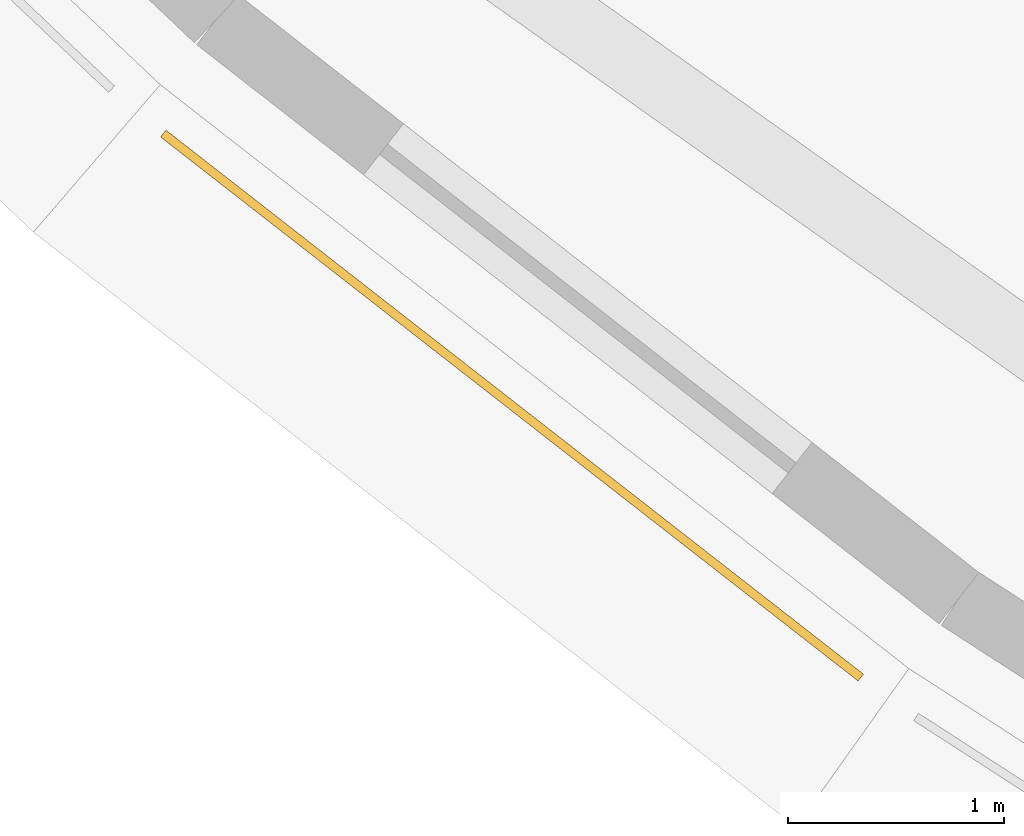
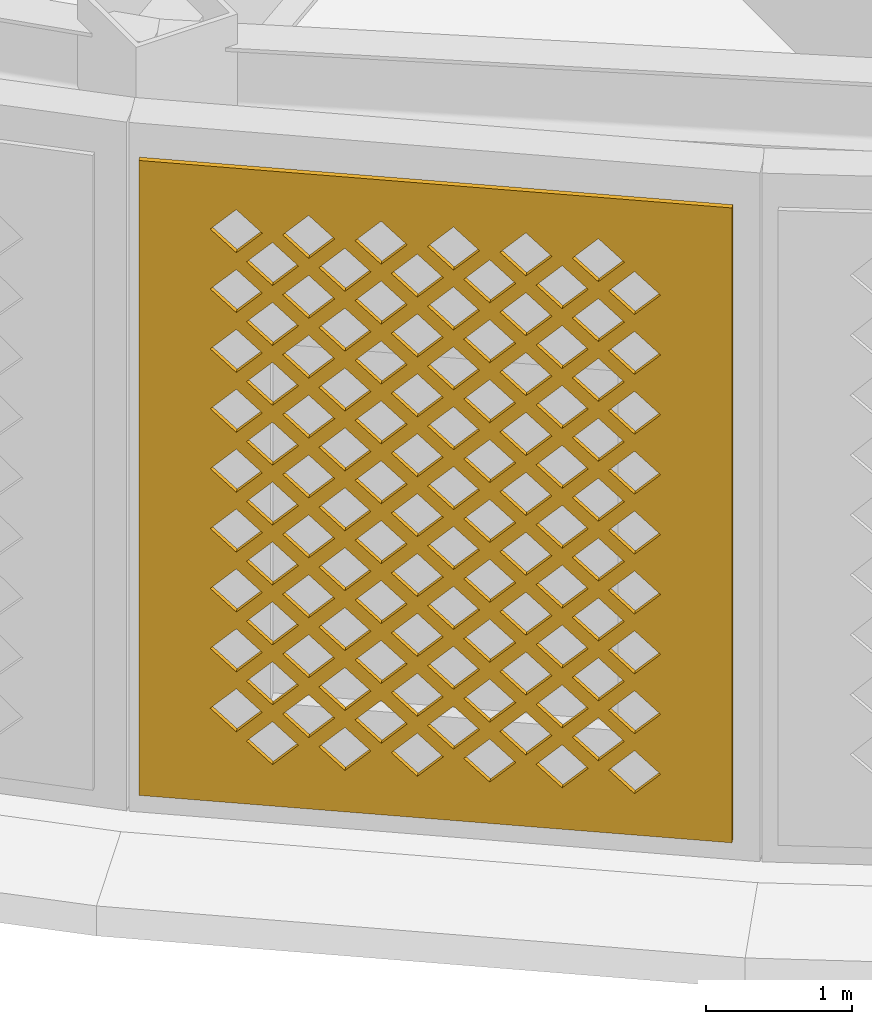
# One storey, part 37 of 74: 1 covering.
"""IFC4 building model written with IfcOpenShell, lengths in metres."""

from ifc_helpers import new_model, si_unit, direction, frame, origin, place, context, subcontext, project, spatial, polyline, outline, extrude, material, layer, layer_set, type_object, element, save


model = new_model("IFC4")

# Units and contexts
model_context = context("Model", 3, precision=1e-05, world=origin(), true_north=direction((0.0, 1.0)))
body_context = subcontext(model_context, "Body", "Model", "MODEL_VIEW")
ifc_project = project(units=[si_unit("LENGTHUNIT", "METRE"), si_unit("AREAUNIT", "SQUARE_METRE"), si_unit("VOLUMEUNIT", "CUBIC_METRE"), si_unit("PLANEANGLEUNIT", "RADIAN"), si_unit("MASSUNIT", "GRAM", prefix="KILO")], contexts=[model_context])

# Site, building, storey
site_placement = place(None, origin())
site = spatial("IfcSite", under=ifc_project, at=site_placement, CompositionType="ELEMENT")
building_placement = place(site_placement, origin())
building = spatial("IfcBuilding", under=site, at=building_placement, Name="Noorbagh Ring Tower", CompositionType="ELEMENT")
storey_placement = place(building_placement, frame((0.0, 0.0, 13.5)))
storey = spatial("IfcBuildingStorey", under=building, at=storey_placement, Name="L02", CompositionType="ELEMENT", Elevation=13.5)

# Covering
ifc_material = material(Name="Red sandstone jali", Category="masonry")
ifc_layer = layer(ifc_material, 0.0400390625)
ifc_layer_set = layer_set([ifc_layer], Name="Red sandstone jali")
covering_type = type_object("IfcCoveringType", Name="STY-JALI", PredefinedType="USERDEFINED", material=ifc_layer_set)
covering_placement = place(storey_placement, frame((-38.712890625, -26.94677734375, 0.449951171875), z_axis=(-0.614979917433, -0.788542770656, 0.0), x_axis=(0.788542770656, -0.614979917433, 0.0)))
element("IfcCovering", 1, at=covering_placement, inside=storey, type_object=covering_type, Name="Jali screen", ObjectType="SCREEN", PredefinedType="USERDEFINED", context=body_context, shape_type="SweptSolid", body=[
    extrude(outline(polyline([(0.0, 0.0), (4.09619140625, 0.0), (4.09619140625, 5.300048828125), (0.0, 5.300048828125), (0.0, 0.0)]), holes=[polyline([(0.7431640625, 0.52490234375), (0.923095703125, 0.344970703125), (1.10302734375, 0.52490234375), (0.923095703125, 0.705078125), (0.7431640625, 0.52490234375)]), polyline([(1.2431640625, 0.52490234375), (1.423095703125, 0.344970703125), (1.60302734375, 0.52490234375), (1.423095703125, 0.705078125), (1.2431640625, 0.52490234375)]), polyline([(1.7431640625, 0.52490234375), (1.923095703125, 0.344970703125), (2.10302734375, 0.52490234375), (1.923095703125, 0.705078125), (1.7431640625, 0.52490234375)]), polyline([(2.2431640625, 0.52490234375), (2.423095703125, 0.344970703125), (2.60302734375, 0.52490234375), (2.423095703125, 0.705078125), (2.2431640625, 0.52490234375)]), polyline([(2.7431640625, 0.52490234375), (2.923095703125, 0.344970703125), (3.10302734375, 0.52490234375), (2.923095703125, 0.705078125), (2.7431640625, 0.52490234375)]), polyline([(3.2431640625, 0.52490234375), (3.423095703125, 0.344970703125), (3.60302734375, 0.52490234375), (3.423095703125, 0.705078125), (3.2431640625, 0.52490234375)]), polyline([(0.4931640625, 0.77490234375), (0.673095703125, 0.594970703125), (0.85302734375, 0.77490234375), (0.673095703125, 0.955078125), (0.4931640625, 0.77490234375)]), polyline([(0.9931640625, 0.77490234375), (1.173095703125, 0.594970703125), (1.35302734375, 0.77490234375), (1.173095703125, 0.955078125), (0.9931640625, 0.77490234375)]), polyline([(1.4931640625, 0.77490234375), (1.673095703125, 0.594970703125), (1.85302734375, 0.77490234375), (1.673095703125, 0.955078125), (1.4931640625, 0.77490234375)]), polyline([(1.9931640625, 0.77490234375), (2.173095703125, 0.594970703125), (2.35302734375, 0.77490234375), (2.173095703125, 0.955078125), (1.9931640625, 0.77490234375)]), polyline([(2.4931640625, 0.77490234375), (2.673095703125, 0.594970703125), (2.85302734375, 0.77490234375), (2.673095703125, 0.955078125), (2.4931640625, 0.77490234375)]), polyline([(2.9931640625, 0.77490234375), (3.173095703125, 0.594970703125), (3.35302734375, 0.77490234375), (3.173095703125, 0.955078125), (2.9931640625, 0.77490234375)]), polyline([(0.7431640625, 1.02490234375), (0.923095703125, 0.844970703125), (1.10302734375, 1.02490234375), (0.923095703125, 1.205078125), (0.7431640625, 1.02490234375)]), polyline([(1.2431640625, 1.02490234375), (1.423095703125, 0.844970703125), (1.60302734375, 1.02490234375), (1.423095703125, 1.205078125), (1.2431640625, 1.02490234375)]), polyline([(1.7431640625, 1.02490234375), (1.923095703125, 0.844970703125), (2.10302734375, 1.02490234375), (1.923095703125, 1.205078125), (1.7431640625, 1.02490234375)]), polyline([(2.2431640625, 1.02490234375), (2.423095703125, 0.844970703125), (2.60302734375, 1.02490234375), (2.423095703125, 1.205078125), (2.2431640625, 1.02490234375)]), polyline([(2.7431640625, 1.02490234375), (2.923095703125, 0.844970703125), (3.10302734375, 1.02490234375), (2.923095703125, 1.205078125), (2.7431640625, 1.02490234375)]), polyline([(3.2431640625, 1.02490234375), (3.423095703125, 0.844970703125), (3.60302734375, 1.02490234375), (3.423095703125, 1.205078125), (3.2431640625, 1.02490234375)]), polyline([(0.4931640625, 1.27490234375), (0.673095703125, 1.094970703125), (0.85302734375, 1.27490234375), (0.673095703125, 1.455078125), (0.4931640625, 1.27490234375)]), polyline([(0.9931640625, 1.27490234375), (1.173095703125, 1.094970703125), (1.35302734375, 1.27490234375), (1.173095703125, 1.455078125), (0.9931640625, 1.27490234375)]), polyline([(1.4931640625, 1.27490234375), (1.673095703125, 1.094970703125), (1.85302734375, 1.27490234375), (1.673095703125, 1.455078125), (1.4931640625, 1.27490234375)]), polyline([(1.9931640625, 1.27490234375), (2.173095703125, 1.094970703125), (2.35302734375, 1.27490234375), (2.173095703125, 1.455078125), (1.9931640625, 1.27490234375)]), polyline([(2.4931640625, 1.27490234375), (2.673095703125, 1.094970703125), (2.85302734375, 1.27490234375), (2.673095703125, 1.455078125), (2.4931640625, 1.27490234375)]), polyline([(2.9931640625, 1.27490234375), (3.173095703125, 1.094970703125), (3.35302734375, 1.27490234375), (3.173095703125, 1.455078125), (2.9931640625, 1.27490234375)]), polyline([(0.7431640625, 1.52490234375), (0.923095703125, 1.344970703125), (1.10302734375, 1.52490234375), (0.923095703125, 1.705078125), (0.7431640625, 1.52490234375)]), polyline([(1.2431640625, 1.52490234375), (1.423095703125, 1.344970703125), (1.60302734375, 1.52490234375), (1.423095703125, 1.705078125), (1.2431640625, 1.52490234375)]), polyline([(1.7431640625, 1.52490234375), (1.923095703125, 1.344970703125), (2.10302734375, 1.52490234375), (1.923095703125, 1.705078125), (1.7431640625, 1.52490234375)]), polyline([(2.2431640625, 1.52490234375), (2.423095703125, 1.344970703125), (2.60302734375, 1.52490234375), (2.423095703125, 1.705078125), (2.2431640625, 1.52490234375)]), polyline([(2.7431640625, 1.52490234375), (2.923095703125, 1.344970703125), (3.10302734375, 1.52490234375), (2.923095703125, 1.705078125), (2.7431640625, 1.52490234375)]), polyline([(3.2431640625, 1.52490234375), (3.423095703125, 1.344970703125), (3.60302734375, 1.52490234375), (3.423095703125, 1.705078125), (3.2431640625, 1.52490234375)]), polyline([(0.4931640625, 1.77490234375), (0.673095703125, 1.594970703125), (0.85302734375, 1.77490234375), (0.673095703125, 1.955078125), (0.4931640625, 1.77490234375)]), polyline([(0.9931640625, 1.77490234375), (1.173095703125, 1.594970703125), (1.35302734375, 1.77490234375), (1.173095703125, 1.955078125), (0.9931640625, 1.77490234375)]), polyline([(1.4931640625, 1.77490234375), (1.673095703125, 1.594970703125), (1.85302734375, 1.77490234375), (1.673095703125, 1.955078125), (1.4931640625, 1.77490234375)]), polyline([(1.9931640625, 1.77490234375), (2.173095703125, 1.594970703125), (2.35302734375, 1.77490234375), (2.173095703125, 1.955078125), (1.9931640625, 1.77490234375)]), polyline([(2.4931640625, 1.77490234375), (2.673095703125, 1.594970703125), (2.85302734375, 1.77490234375), (2.673095703125, 1.955078125), (2.4931640625, 1.77490234375)]), polyline([(2.9931640625, 1.77490234375), (3.173095703125, 1.594970703125), (3.35302734375, 1.77490234375), (3.173095703125, 1.955078125), (2.9931640625, 1.77490234375)]), polyline([(0.7431640625, 2.02490234375), (0.923095703125, 1.844970703125), (1.10302734375, 2.02490234375), (0.923095703125, 2.205078125), (0.7431640625, 2.02490234375)]), polyline([(1.2431640625, 2.02490234375), (1.423095703125, 1.844970703125), (1.60302734375, 2.02490234375), (1.423095703125, 2.205078125), (1.2431640625, 2.02490234375)]), polyline([(1.7431640625, 2.02490234375), (1.923095703125, 1.844970703125), (2.10302734375, 2.02490234375), (1.923095703125, 2.205078125), (1.7431640625, 2.02490234375)]), polyline([(2.2431640625, 2.02490234375), (2.423095703125, 1.844970703125), (2.60302734375, 2.02490234375), (2.423095703125, 2.205078125), (2.2431640625, 2.02490234375)]), polyline([(2.7431640625, 2.02490234375), (2.923095703125, 1.844970703125), (3.10302734375, 2.02490234375), (2.923095703125, 2.205078125), (2.7431640625, 2.02490234375)]), polyline([(3.2431640625, 2.02490234375), (3.423095703125, 1.844970703125), (3.60302734375, 2.02490234375), (3.423095703125, 2.205078125), (3.2431640625, 2.02490234375)]), polyline([(0.4931640625, 2.27490234375), (0.673095703125, 2.094970703125), (0.85302734375, 2.27490234375), (0.673095703125, 2.455078125), (0.4931640625, 2.27490234375)]), polyline([(0.9931640625, 2.27490234375), (1.173095703125, 2.094970703125), (1.35302734375, 2.27490234375), (1.173095703125, 2.455078125), (0.9931640625, 2.27490234375)]), polyline([(1.4931640625, 2.27490234375), (1.673095703125, 2.094970703125), (1.85302734375, 2.27490234375), (1.673095703125, 2.455078125), (1.4931640625, 2.27490234375)]), polyline([(1.9931640625, 2.27490234375), (2.173095703125, 2.094970703125), (2.35302734375, 2.27490234375), (2.173095703125, 2.455078125), (1.9931640625, 2.27490234375)]), polyline([(2.4931640625, 2.27490234375), (2.673095703125, 2.094970703125), (2.85302734375, 2.27490234375), (2.673095703125, 2.455078125), (2.4931640625, 2.27490234375)]), polyline([(2.9931640625, 2.27490234375), (3.173095703125, 2.094970703125), (3.35302734375, 2.27490234375), (3.173095703125, 2.455078125), (2.9931640625, 2.27490234375)]), polyline([(0.7431640625, 2.52490234375), (0.923095703125, 2.344970703125), (1.10302734375, 2.52490234375), (0.923095703125, 2.705078125), (0.7431640625, 2.52490234375)]), polyline([(1.2431640625, 2.52490234375), (1.423095703125, 2.344970703125), (1.60302734375, 2.52490234375), (1.423095703125, 2.705078125), (1.2431640625, 2.52490234375)]), polyline([(1.7431640625, 2.52490234375), (1.923095703125, 2.344970703125), (2.10302734375, 2.52490234375), (1.923095703125, 2.705078125), (1.7431640625, 2.52490234375)]), polyline([(2.2431640625, 2.52490234375), (2.423095703125, 2.344970703125), (2.60302734375, 2.52490234375), (2.423095703125, 2.705078125), (2.2431640625, 2.52490234375)]), polyline([(2.7431640625, 2.52490234375), (2.923095703125, 2.344970703125), (3.10302734375, 2.52490234375), (2.923095703125, 2.705078125), (2.7431640625, 2.52490234375)]), polyline([(3.2431640625, 2.52490234375), (3.423095703125, 2.344970703125), (3.60302734375, 2.52490234375), (3.423095703125, 2.705078125), (3.2431640625, 2.52490234375)]), polyline([(0.4931640625, 2.77490234375), (0.673095703125, 2.594970703125), (0.85302734375, 2.77490234375), (0.673095703125, 2.955078125), (0.4931640625, 2.77490234375)]), polyline([(0.9931640625, 2.77490234375), (1.173095703125, 2.594970703125), (1.35302734375, 2.77490234375), (1.173095703125, 2.955078125), (0.9931640625, 2.77490234375)]), polyline([(1.4931640625, 2.77490234375), (1.673095703125, 2.594970703125), (1.85302734375, 2.77490234375), (1.673095703125, 2.955078125), (1.4931640625, 2.77490234375)]), polyline([(1.9931640625, 2.77490234375), (2.173095703125, 2.594970703125), (2.35302734375, 2.77490234375), (2.173095703125, 2.955078125), (1.9931640625, 2.77490234375)]), polyline([(2.4931640625, 2.77490234375), (2.673095703125, 2.594970703125), (2.85302734375, 2.77490234375), (2.673095703125, 2.955078125), (2.4931640625, 2.77490234375)]), polyline([(2.9931640625, 2.77490234375), (3.173095703125, 2.594970703125), (3.35302734375, 2.77490234375), (3.173095703125, 2.955078125), (2.9931640625, 2.77490234375)]), polyline([(0.7431640625, 3.02490234375), (0.923095703125, 2.844970703125), (1.10302734375, 3.02490234375), (0.923095703125, 3.205078125), (0.7431640625, 3.02490234375)]), polyline([(1.2431640625, 3.02490234375), (1.423095703125, 2.844970703125), (1.60302734375, 3.02490234375), (1.423095703125, 3.205078125), (1.2431640625, 3.02490234375)]), polyline([(1.7431640625, 3.02490234375), (1.923095703125, 2.844970703125), (2.10302734375, 3.02490234375), (1.923095703125, 3.205078125), (1.7431640625, 3.02490234375)]), polyline([(2.2431640625, 3.02490234375), (2.423095703125, 2.844970703125), (2.60302734375, 3.02490234375), (2.423095703125, 3.205078125), (2.2431640625, 3.02490234375)]), polyline([(2.7431640625, 3.02490234375), (2.923095703125, 2.844970703125), (3.10302734375, 3.02490234375), (2.923095703125, 3.205078125), (2.7431640625, 3.02490234375)]), polyline([(3.2431640625, 3.02490234375), (3.423095703125, 2.844970703125), (3.60302734375, 3.02490234375), (3.423095703125, 3.205078125), (3.2431640625, 3.02490234375)]), polyline([(0.4931640625, 3.27490234375), (0.673095703125, 3.094970703125), (0.85302734375, 3.27490234375), (0.673095703125, 3.455078125), (0.4931640625, 3.27490234375)]), polyline([(0.9931640625, 3.27490234375), (1.173095703125, 3.094970703125), (1.35302734375, 3.27490234375), (1.173095703125, 3.455078125), (0.9931640625, 3.27490234375)]), polyline([(1.4931640625, 3.27490234375), (1.673095703125, 3.094970703125), (1.85302734375, 3.27490234375), (1.673095703125, 3.455078125), (1.4931640625, 3.27490234375)]), polyline([(1.9931640625, 3.27490234375), (2.173095703125, 3.094970703125), (2.35302734375, 3.27490234375), (2.173095703125, 3.455078125), (1.9931640625, 3.27490234375)]), polyline([(2.4931640625, 3.27490234375), (2.673095703125, 3.094970703125), (2.85302734375, 3.27490234375), (2.673095703125, 3.455078125), (2.4931640625, 3.27490234375)]), polyline([(2.9931640625, 3.27490234375), (3.173095703125, 3.094970703125), (3.35302734375, 3.27490234375), (3.173095703125, 3.455078125), (2.9931640625, 3.27490234375)]), polyline([(0.7431640625, 3.52490234375), (0.923095703125, 3.344970703125), (1.10302734375, 3.52490234375), (0.923095703125, 3.705078125), (0.7431640625, 3.52490234375)]), polyline([(1.2431640625, 3.52490234375), (1.423095703125, 3.344970703125), (1.60302734375, 3.52490234375), (1.423095703125, 3.705078125), (1.2431640625, 3.52490234375)]), polyline([(1.7431640625, 3.52490234375), (1.923095703125, 3.344970703125), (2.10302734375, 3.52490234375), (1.923095703125, 3.705078125), (1.7431640625, 3.52490234375)]), polyline([(2.2431640625, 3.52490234375), (2.423095703125, 3.344970703125), (2.60302734375, 3.52490234375), (2.423095703125, 3.705078125), (2.2431640625, 3.52490234375)]), polyline([(2.7431640625, 3.52490234375), (2.923095703125, 3.344970703125), (3.10302734375, 3.52490234375), (2.923095703125, 3.705078125), (2.7431640625, 3.52490234375)]), polyline([(3.2431640625, 3.52490234375), (3.423095703125, 3.344970703125), (3.60302734375, 3.52490234375), (3.423095703125, 3.705078125), (3.2431640625, 3.52490234375)]), polyline([(0.4931640625, 3.77490234375), (0.673095703125, 3.594970703125), (0.85302734375, 3.77490234375), (0.673095703125, 3.955078125), (0.4931640625, 3.77490234375)]), polyline([(0.9931640625, 3.77490234375), (1.173095703125, 3.594970703125), (1.35302734375, 3.77490234375), (1.173095703125, 3.955078125), (0.9931640625, 3.77490234375)]), polyline([(1.4931640625, 3.77490234375), (1.673095703125, 3.594970703125), (1.85302734375, 3.77490234375), (1.673095703125, 3.955078125), (1.4931640625, 3.77490234375)]), polyline([(1.9931640625, 3.77490234375), (2.173095703125, 3.594970703125), (2.35302734375, 3.77490234375), (2.173095703125, 3.955078125), (1.9931640625, 3.77490234375)]), polyline([(2.4931640625, 3.77490234375), (2.673095703125, 3.594970703125), (2.85302734375, 3.77490234375), (2.673095703125, 3.955078125), (2.4931640625, 3.77490234375)]), polyline([(2.9931640625, 3.77490234375), (3.173095703125, 3.594970703125), (3.35302734375, 3.77490234375), (3.173095703125, 3.955078125), (2.9931640625, 3.77490234375)]), polyline([(0.7431640625, 4.02490234375), (0.923095703125, 3.844970703125), (1.10302734375, 4.02490234375), (0.923095703125, 4.205078125), (0.7431640625, 4.02490234375)]), polyline([(1.2431640625, 4.02490234375), (1.423095703125, 3.844970703125), (1.60302734375, 4.02490234375), (1.423095703125, 4.205078125), (1.2431640625, 4.02490234375)]), polyline([(1.7431640625, 4.02490234375), (1.923095703125, 3.844970703125), (2.10302734375, 4.02490234375), (1.923095703125, 4.205078125), (1.7431640625, 4.02490234375)]), polyline([(2.2431640625, 4.02490234375), (2.423095703125, 3.844970703125), (2.60302734375, 4.02490234375), (2.423095703125, 4.205078125), (2.2431640625, 4.02490234375)]), polyline([(2.7431640625, 4.02490234375), (2.923095703125, 3.844970703125), (3.10302734375, 4.02490234375), (2.923095703125, 4.205078125), (2.7431640625, 4.02490234375)]), polyline([(3.2431640625, 4.02490234375), (3.423095703125, 3.844970703125), (3.60302734375, 4.02490234375), (3.423095703125, 4.205078125), (3.2431640625, 4.02490234375)]), polyline([(0.4931640625, 4.27490234375), (0.673095703125, 4.094970703125), (0.85302734375, 4.27490234375), (0.673095703125, 4.455078125), (0.4931640625, 4.27490234375)]), polyline([(0.9931640625, 4.27490234375), (1.173095703125, 4.094970703125), (1.35302734375, 4.27490234375), (1.173095703125, 4.455078125), (0.9931640625, 4.27490234375)]), polyline([(1.4931640625, 4.27490234375), (1.673095703125, 4.094970703125), (1.85302734375, 4.27490234375), (1.673095703125, 4.455078125), (1.4931640625, 4.27490234375)]), polyline([(1.9931640625, 4.27490234375), (2.173095703125, 4.094970703125), (2.35302734375, 4.27490234375), (2.173095703125, 4.455078125), (1.9931640625, 4.27490234375)]), polyline([(2.4931640625, 4.27490234375), (2.673095703125, 4.094970703125), (2.85302734375, 4.27490234375), (2.673095703125, 4.455078125), (2.4931640625, 4.27490234375)]), polyline([(2.9931640625, 4.27490234375), (3.173095703125, 4.094970703125), (3.35302734375, 4.27490234375), (3.173095703125, 4.455078125), (2.9931640625, 4.27490234375)]), polyline([(0.7431640625, 4.52490234375), (0.923095703125, 4.344970703125), (1.10302734375, 4.52490234375), (0.923095703125, 4.705078125), (0.7431640625, 4.52490234375)]), polyline([(1.2431640625, 4.52490234375), (1.423095703125, 4.344970703125), (1.60302734375, 4.52490234375), (1.423095703125, 4.705078125), (1.2431640625, 4.52490234375)]), polyline([(1.7431640625, 4.52490234375), (1.923095703125, 4.344970703125), (2.10302734375, 4.52490234375), (1.923095703125, 4.705078125), (1.7431640625, 4.52490234375)]), polyline([(2.2431640625, 4.52490234375), (2.423095703125, 4.344970703125), (2.60302734375, 4.52490234375), (2.423095703125, 4.705078125), (2.2431640625, 4.52490234375)]), polyline([(2.7431640625, 4.52490234375), (2.923095703125, 4.344970703125), (3.10302734375, 4.52490234375), (2.923095703125, 4.705078125), (2.7431640625, 4.52490234375)]), polyline([(3.2431640625, 4.52490234375), (3.423095703125, 4.344970703125), (3.60302734375, 4.52490234375), (3.423095703125, 4.705078125), (3.2431640625, 4.52490234375)]), polyline([(0.4931640625, 4.77490234375), (0.673095703125, 4.594970703125), (0.85302734375, 4.77490234375), (0.673095703125, 4.955078125), (0.4931640625, 4.77490234375)]), polyline([(0.9931640625, 4.77490234375), (1.173095703125, 4.594970703125), (1.35302734375, 4.77490234375), (1.173095703125, 4.955078125), (0.9931640625, 4.77490234375)]), polyline([(1.4931640625, 4.77490234375), (1.673095703125, 4.594970703125), (1.85302734375, 4.77490234375), (1.673095703125, 4.955078125), (1.4931640625, 4.77490234375)]), polyline([(1.9931640625, 4.77490234375), (2.173095703125, 4.594970703125), (2.35302734375, 4.77490234375), (2.173095703125, 4.955078125), (1.9931640625, 4.77490234375)]), polyline([(2.4931640625, 4.77490234375), (2.673095703125, 4.594970703125), (2.85302734375, 4.77490234375), (2.673095703125, 4.955078125), (2.4931640625, 4.77490234375)]), polyline([(2.9931640625, 4.77490234375), (3.173095703125, 4.594970703125), (3.35302734375, 4.77490234375), (3.173095703125, 4.955078125), (2.9931640625, 4.77490234375)])]), origin(), (0.0, 0.0, -1.0), 0.0400390625),
])

save(model, "model.ifc")
